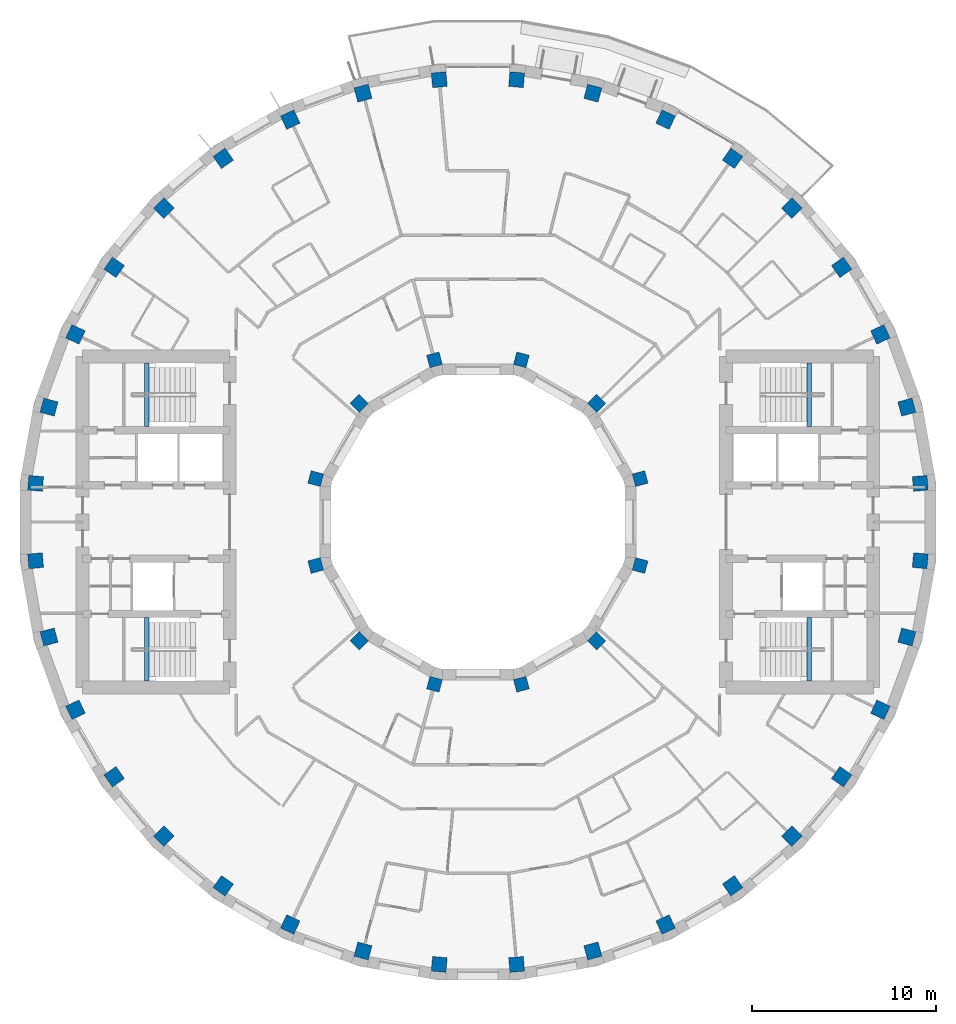
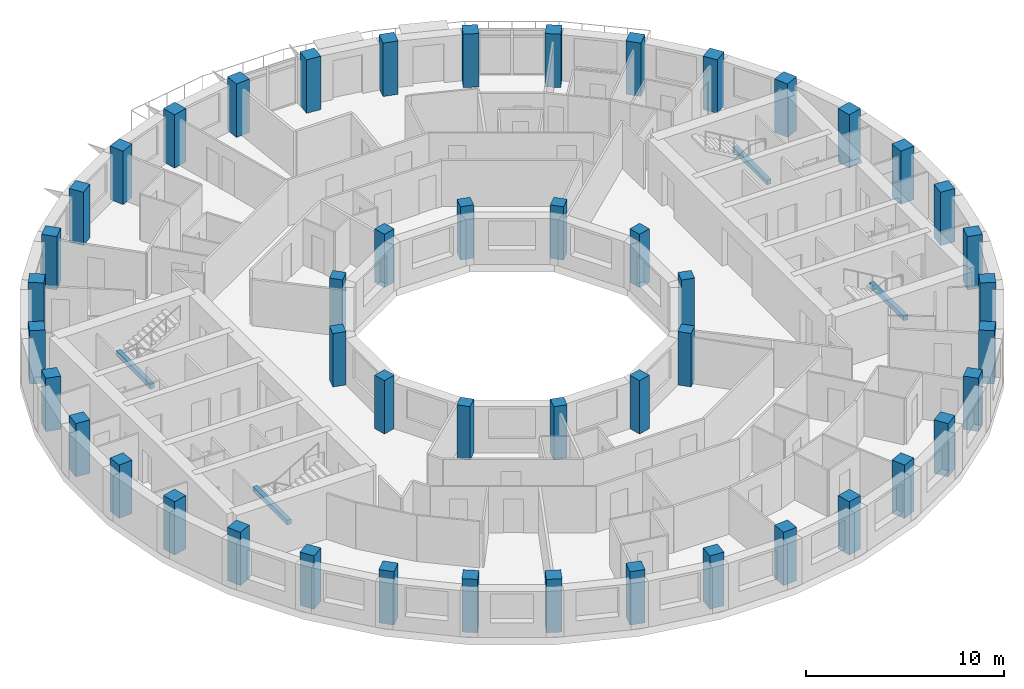
# One storey, part 1 of 13: 48 columns, 4 beams.
"""IFC4 building model written with IfcOpenShell, lengths in metres."""

from ifc_helpers import new_model, si_unit, direction, frame, origin, origin_2d, place, context, subcontext, project, spatial, rectangle, extrude, material, material_profile, profile_set, type_object, element, save


model = new_model("IFC4")

# Units and contexts
model_context = context("Model", 3, precision=1e-05, world=origin(), true_north=direction((0.0, 1.0)))
body_context = subcontext(model_context, "Body", "Model", "MODEL_VIEW")
ifc_project = project(units=[si_unit("LENGTHUNIT", "METRE"), si_unit("AREAUNIT", "SQUARE_METRE"), si_unit("VOLUMEUNIT", "CUBIC_METRE"), si_unit("PLANEANGLEUNIT", "RADIAN"), si_unit("MASSUNIT", "GRAM", prefix="KILO")], contexts=[model_context])

# Site, building, storey
site_placement = place(None, origin())
site = spatial("IfcSite", under=ifc_project, at=site_placement, CompositionType="ELEMENT")
building_placement = place(site_placement, origin())
building = spatial("IfcBuilding", under=site, at=building_placement, Name="Saqina Gate Tower", CompositionType="ELEMENT")
storey_placement = place(building_placement, frame((0.0, 0.0, 207.0)))
storey = spatial("IfcBuildingStorey", under=building, at=storey_placement, Name="L59", CompositionType="ELEMENT", Elevation=207.0)

# Columns
ifc_material_1 = material(Name="Concrete C60/75", Category="concrete")
ifc_material_profile_1 = material_profile(ifc_material_1, rectangle(XDim=0.699951171875, YDim=0.699951171875, at=origin_2d()), Name="RC 700x700")
ifc_profile_set_1 = profile_set([ifc_material_profile_1], Name="Concrete C60/75")
column_type_1 = type_object("IfcColumnType", Name="STR-COL-IN-C", PredefinedType="COLUMN", material=ifc_profile_set_1)
for number, where, z_axis, x_axis, name in (
    (1, (8.821044921875, 2.363525390625, 0.0), (0.0, 0.0, 1.0), (0.965925826289, 0.258819045103, 0.0), "L59-ICL01"),
    (2, (6.45751953125, 6.45751953125, 0.0), (0.0, 0.0, 1.0), (0.707106781187, 0.707106781187, 0.0), "L59-ICL02"),
    (3, (2.363525390625, 8.821044921875, 0.0), (0.0, 0.0, 1.0), (0.258819045103, 0.965925826289, 0.0), "L59-ICL03"),
    (4, (-2.363525390625, 8.821044921875, 0.0), (0.0, 0.0, 1.0), (-0.258819045103, 0.965925826289, 0.0), "L59-ICL04"),
    (5, (-6.45751953125, 6.45751953125, 0.0), (0.0, 0.0, 1.0), (-0.707106781187, 0.707106781187, 0.0), "L59-ICL05"),
    (6, (-8.821044921875, 2.363525390625, 0.0), (0.0, 0.0, 1.0), (-0.965925826289, 0.258819045103, 0.0), "L59-ICL06"),
    (7, (-8.821044921875, -2.363525390625, 0.0), (0.0, 0.0, 1.0), (-0.965925826289, -0.258819045103, 0.0), "L59-ICL07"),
    (8, (-6.45751953125, -6.45751953125, 0.0), (0.0, 0.0, 1.0), (-0.707106781187, -0.707106781187, 0.0), "L59-ICL08"),
    (9, (-2.363525390625, -8.821044921875, 0.0), (0.0, 0.0, 1.0), (-0.258819045103, -0.965925826289, 0.0), "L59-ICL09"),
    (10, (2.363525390625, -8.821044921875, 0.0), (0.0, 0.0, 1.0), (0.258819045103, -0.965925826289, 0.0), "L59-ICL10"),
    (11, (6.45751953125, -6.45751953125, 0.0), (0.0, 0.0, 1.0), (0.707106781187, -0.707106781187, 0.0), "L59-ICL11"),
    (12, (8.821044921875, -2.363525390625, 0.0), (0.0, 0.0, 1.0), (0.965925826289, -0.258819045103, 0.0), "L59-ICL12"),
):
    element("IfcColumn", number, at=place(storey_placement, frame(where, z_axis=z_axis, x_axis=x_axis)), inside=storey, type_object=column_type_1, Name=name, PredefinedType="COLUMN", context=body_context, shape_type="SweptSolid", body=[
        extrude(rectangle(XDim=0.699951171875, YDim=0.699951171875, at=origin_2d()), origin(), (0.0, 0.0, 1.0), 3.300048828125),
    ])
ifc_material_2 = material(Name="Concrete C60/75", Category="concrete")
ifc_material_profile_2 = material_profile(ifc_material_2, rectangle(XDim=0.800048828125, YDim=0.800048828125, at=origin_2d()), Name="RC 800x800")
ifc_profile_set_2 = profile_set([ifc_material_profile_2], Name="Concrete C60/75")
column_type_2 = type_object("IfcColumnType", Name="STR-COL-OUT-C", PredefinedType="COLUMN", material=ifc_profile_set_2)
for number, where, z_axis, x_axis, name in (
    (13, (24.05810546875, 2.104736328125, 0.0), (0.0, 0.0, 1.0), (0.996194698092, 0.087155742748, 0.0), "L59-COL01"),
    (14, (23.3271484375, 6.25048828125, 0.0), (0.0, 0.0, 1.0), (0.965925826289, 0.258819045103, 0.0), "L59-COL02"),
    (15, (21.887451171875, 10.206298828125, 0.0), (0.0, 0.0, 1.0), (0.906307787037, 0.422618261741, 0.0), "L59-COL03"),
    (16, (19.782470703125, 13.851806640625, 0.0), (0.0, 0.0, 1.0), (0.819152044289, 0.573576436351, 0.0), "L59-COL04"),
    (17, (17.07666015625, 17.07666015625, 0.0), (0.0, 0.0, 1.0), (0.707106781187, 0.707106781187, 0.0), "L59-COL05"),
    (18, (13.851806640625, 19.782470703125, 0.0), (0.0, 0.0, 1.0), (0.573576436351, 0.819152044289, 0.0), "L59-COL06"),
    (19, (10.206298828125, 21.887451171875, 0.0), (0.0, 0.0, 1.0), (0.422618261741, 0.906307787037, 0.0), "L59-COL07"),
    (20, (6.25048828125, 23.3271484375, 0.0), (0.0, 0.0, 1.0), (0.258819045103, 0.965925826289, 0.0), "L59-COL08"),
    (21, (2.104736328125, 24.05810546875, 0.0), (0.0, 0.0, 1.0), (0.087155742748, 0.996194698092, 0.0), "L59-COL09"),
    (22, (-2.104736328125, 24.05810546875, 0.0), (0.0, 0.0, 1.0), (-0.087155742748, 0.996194698092, 0.0), "L59-COL10"),
    (23, (-6.25048828125, 23.3271484375, 0.0), (0.0, 0.0, 1.0), (-0.258819045103, 0.965925826289, 0.0), "L59-COL11"),
    (24, (-10.206298828125, 21.887451171875, 0.0), (0.0, 0.0, 1.0), (-0.422618261741, 0.906307787037, 0.0), "L59-COL12"),
    (25, (-13.851806640625, 19.782470703125, 0.0), (0.0, 0.0, 1.0), (-0.573576436351, 0.819152044289, 0.0), "L59-COL13"),
    (26, (-17.07666015625, 17.07666015625, 0.0), (0.0, 0.0, 1.0), (-0.707106781187, 0.707106781187, 0.0), "L59-COL14"),
    (27, (-19.782470703125, 13.851806640625, 0.0), (0.0, 0.0, 1.0), (-0.819152044289, 0.573576436351, 0.0), "L59-COL15"),
    (28, (-21.887451171875, 10.206298828125, 0.0), (0.0, 0.0, 1.0), (-0.906307787037, 0.422618261741, 0.0), "L59-COL16"),
    (29, (-23.3271484375, 6.25048828125, 0.0), (0.0, 0.0, 1.0), (-0.965925826289, 0.258819045103, 0.0), "L59-COL17"),
    (30, (-24.05810546875, 2.104736328125, 0.0), (0.0, 0.0, 1.0), (-0.996194698092, 0.087155742748, 0.0), "L59-COL18"),
    (31, (-24.05810546875, -2.104736328125, 0.0), (0.0, 0.0, 1.0), (-0.996194698092, -0.087155742748, 0.0), "L59-COL19"),
    (32, (-23.3271484375, -6.25048828125, 0.0), (0.0, 0.0, 1.0), (-0.965925826289, -0.258819045103, 0.0), "L59-COL20"),
    (33, (-21.887451171875, -10.206298828125, 0.0), (0.0, 0.0, 1.0), (-0.906307787037, -0.422618261741, 0.0), "L59-COL21"),
    (34, (-19.782470703125, -13.851806640625, 0.0), (0.0, 0.0, 1.0), (-0.819152044289, -0.573576436351, 0.0), "L59-COL22"),
    (35, (-17.07666015625, -17.07666015625, 0.0), (0.0, 0.0, 1.0), (-0.707106781187, -0.707106781187, 0.0), "L59-COL23"),
    (36, (-13.851806640625, -19.782470703125, 0.0), (0.0, 0.0, 1.0), (-0.573576436351, -0.819152044289, 0.0), "L59-COL24"),
    (37, (-10.206298828125, -21.887451171875, 0.0), (0.0, 0.0, 1.0), (-0.422618261741, -0.906307787037, 0.0), "L59-COL25"),
    (38, (-6.25048828125, -23.3271484375, 0.0), (0.0, 0.0, 1.0), (-0.258819045103, -0.965925826289, 0.0), "L59-COL26"),
    (39, (-2.104736328125, -24.05810546875, 0.0), (0.0, 0.0, 1.0), (-0.087155742748, -0.996194698092, 0.0), "L59-COL27"),
    (40, (2.104736328125, -24.05810546875, 0.0), (0.0, 0.0, 1.0), (0.087155742748, -0.996194698092, 0.0), "L59-COL28"),
    (41, (6.25048828125, -23.3271484375, 0.0), (0.0, 0.0, 1.0), (0.258819045103, -0.965925826289, 0.0), "L59-COL29"),
    (42, (10.206298828125, -21.887451171875, 0.0), (0.0, 0.0, 1.0), (0.422618261741, -0.906307787037, 0.0), "L59-COL30"),
    (43, (13.851806640625, -19.782470703125, 0.0), (0.0, 0.0, 1.0), (0.573576436351, -0.819152044289, 0.0), "L59-COL31"),
    (44, (17.07666015625, -17.07666015625, 0.0), (0.0, 0.0, 1.0), (0.707106781187, -0.707106781187, 0.0), "L59-COL32"),
    (45, (19.782470703125, -13.851806640625, 0.0), (0.0, 0.0, 1.0), (0.819152044289, -0.573576436351, 0.0), "L59-COL33"),
    (46, (21.887451171875, -10.206298828125, 0.0), (0.0, 0.0, 1.0), (0.906307787037, -0.422618261741, 0.0), "L59-COL34"),
    (47, (23.3271484375, -6.25048828125, 0.0), (0.0, 0.0, 1.0), (0.965925826289, -0.258819045103, 0.0), "L59-COL35"),
    (48, (24.05810546875, -2.104736328125, 0.0), (0.0, 0.0, 1.0), (0.996194698092, -0.087155742748, 0.0), "L59-COL36"),
):
    element("IfcColumn", number, at=place(storey_placement, frame(where, z_axis=z_axis, x_axis=x_axis)), inside=storey, type_object=column_type_2, Name=name, PredefinedType="COLUMN", context=body_context, shape_type="SweptSolid", body=[
        extrude(rectangle(XDim=0.800048828125, YDim=0.800048828125, at=origin_2d()), origin(), (0.0, 0.0, 1.0), 3.300048828125),
    ])

# Beams
ifc_material_3 = material(Name="Concrete C40/50", Category="concrete")
ifc_material_profile_3 = material_profile(ifc_material_3, rectangle(XDim=0.25, YDim=0.300048828125, at=origin_2d()), Name="STAIR LANDING BEAM")
ifc_profile_set_3 = profile_set([ifc_material_profile_3], Name="Concrete C40/50")
beam_type = type_object("IfcBeamType", Name="STAIR LANDING BEAM", PredefinedType="BEAM", material=ifc_profile_set_3)
for number, where, z_axis, x_axis, name in (
    (49, (18.02001953125, 5.199951171875, 1.25), (0.0, 1.0, 0.0), (-1.0, 0.0, 0.0), "EXIT STAIR 1 LANDING BEAM"),
    (50, (18.02001953125, -8.64990234375, 1.25), (0.0, 1.0, 0.0), (-1.0, 0.0, 0.0), "EXIT STAIR 2 LANDING BEAM"),
    (51, (-18.02001953125, 5.199951171875, 1.25), (0.0, 1.0, 0.0), (-1.0, 0.0, 0.0), "EXIT STAIR 3 LANDING BEAM"),
    (52, (-18.02001953125, -8.64990234375, 1.25), (0.0, 1.0, 0.0), (-1.0, 0.0, 0.0), "EXIT STAIR 4 LANDING BEAM"),
):
    element("IfcBeam", number, at=place(storey_placement, frame(where, z_axis=z_axis, x_axis=x_axis)), inside=storey, type_object=beam_type, Name=name, PredefinedType="BEAM", context=body_context, shape_type="SweptSolid", body=[
        extrude(rectangle(XDim=0.25, YDim=0.300048828125, at=origin_2d()), origin(), (0.0, 0.0, 1.0), 3.449951171875),
    ])

save(model, "model.ifc")
